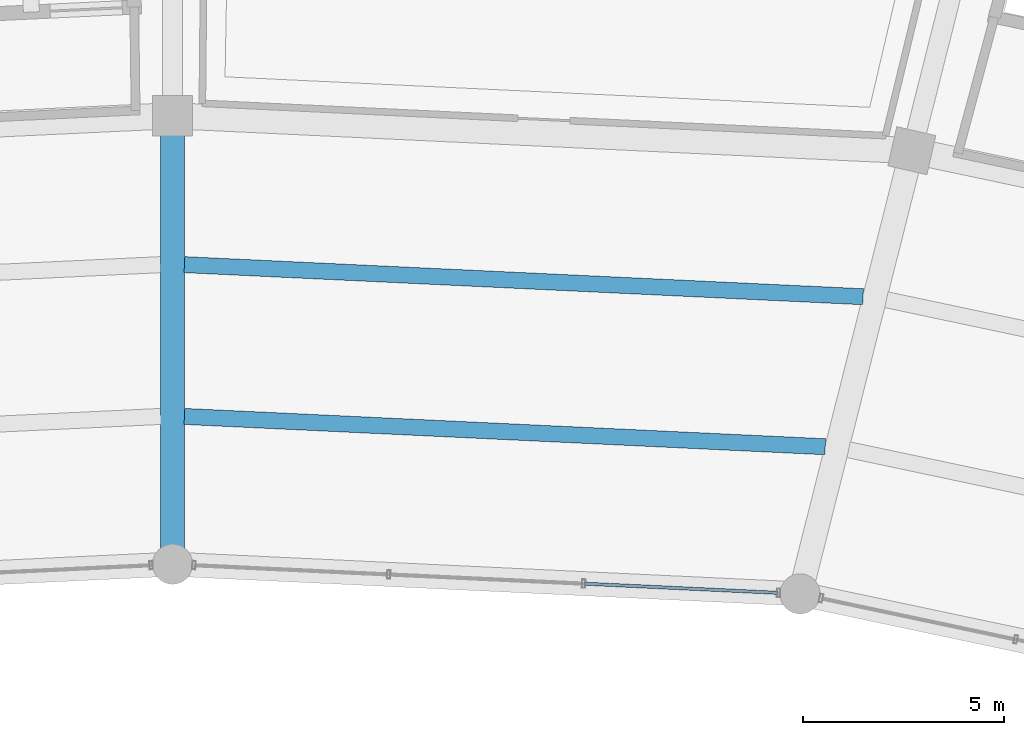
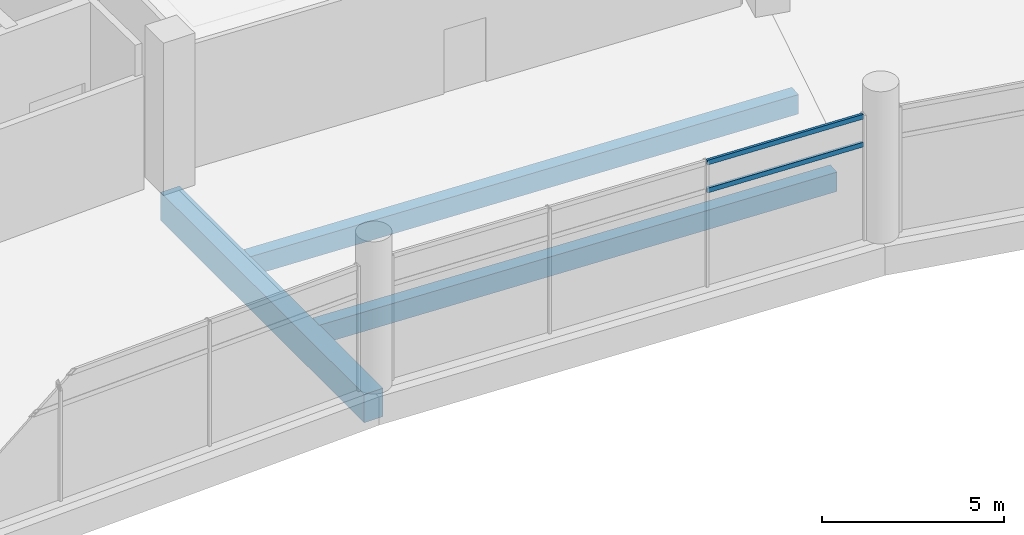
# One storey, part 111 of 184: 3 beams, 2 members, 1 element without a shape of its own.
"""IFC4 building model written with IfcOpenShell, lengths in metres."""

from ifc_helpers import new_model, si_unit, direction, frame, origin, origin_2d, place, context, subcontext, project, spatial, rectangle, hollow_rectangle, extrude, material, layer, layer_set, material_profile, profile_set, type_object, element, aggregate, save


model = new_model("IFC4")

# Units and contexts
model_context = context("Model", 3, precision=1e-05, world=origin(), true_north=direction((0.0, 1.0)))
body_context = subcontext(model_context, "Body", "Model", "MODEL_VIEW")
ifc_project = project(units=[si_unit("LENGTHUNIT", "METRE"), si_unit("AREAUNIT", "SQUARE_METRE"), si_unit("VOLUMEUNIT", "CUBIC_METRE"), si_unit("PLANEANGLEUNIT", "RADIAN"), si_unit("MASSUNIT", "GRAM", prefix="KILO")], contexts=[model_context])

# Site, building, storey
site_placement = place(None, origin())
site = spatial("IfcSite", under=ifc_project, at=site_placement, CompositionType="ELEMENT")
building_placement = place(site_placement, origin())
building = spatial("IfcBuilding", under=site, at=building_placement, Name="Kazemori Nagisa Stadium", CompositionType="ELEMENT")
storey_placement = place(building_placement, frame((0.0, 0.0, 10.5400390625)))
storey = spatial("IfcBuildingStorey", under=building, at=storey_placement, Name="L02", CompositionType="ELEMENT", Elevation=10.5400390625)

# Beams
ifc_material_1 = material(Name="Concrete C40/50 (Fc42)", Category="concrete")
ifc_material_profile_1 = material_profile(ifc_material_1, rectangle(XDim=0.60009765625, YDim=0.949951171875, at=origin_2d()), Name="RC-BM-600x950")
ifc_profile_set_1 = profile_set([ifc_material_profile_1], Name="Concrete C40/50 (Fc42)")
beam_type_1 = type_object("IfcBeamType", Name="Beam_BG-RC600X950", PredefinedType="BEAM", material=ifc_profile_set_1)
beam_1_placement = place(storey_placement, frame((123.0, 164.780029296875, -0.735107421875), z_axis=(0.0, 1.0, 0.0), x_axis=(-1.0, 0.0, 0.0)))
element("IfcBeam", 1, at=beam_1_placement, inside=storey, type_object=beam_type_1, Name="Radial girder BG-RC600X950 L02 R1-R2-08", PredefinedType="BEAM", context=body_context, shape_type="SweptSolid", body=[
    extrude(rectangle(XDim=0.60009765625, YDim=0.949951171875, at=origin_2d()), origin(), (0.0, 0.0, 1.0), 11.179931640625),
])
ifc_material_profile_2 = material_profile(ifc_material_1, rectangle(XDim=0.39990234375, YDim=0.64990234375, at=origin_2d()), Name="RC-BM-400x650")
ifc_profile_set_2 = profile_set([ifc_material_profile_2], Name="Concrete C40/50 (Fc42)")
beam_type_2 = type_object("IfcBeamType", Name="Beam_BJ-RC400X650", PredefinedType="JOIST", material=ifc_profile_set_2)
beam_2_placement = place(storey_placement, frame((139.26904296875, 167.708740234375, -0.5849609375), z_axis=(-0.998883867028, 0.047233676462, 0.0), x_axis=(-0.047233676462, -0.998883867028, 0.0)))
element("IfcBeam", 2, at=beam_2_placement, inside=storey, type_object=beam_type_2, Name="Concourse joist BJ-RC400X650 L02 B07-1", PredefinedType="JOIST", context=body_context, shape_type="SweptSolid", body=[
    extrude(rectangle(XDim=0.39990234375, YDim=0.64990234375, at=origin_2d()), origin(), (0.0, 0.0, 1.0), 15.9921875),
])
beam_3_placement = place(storey_placement, frame((140.211669921875, 171.4482421875, -0.5849609375), z_axis=(-0.998884256715, 0.047225434754, 0.0), x_axis=(-0.047225434754, -0.998884256715, 0.0)))
element("IfcBeam", 3, at=beam_3_placement, inside=storey, type_object=beam_type_2, Name="Concourse joist BJ-RC400X650 L02 B07-2", PredefinedType="JOIST", context=body_context, shape_type="SweptSolid", body=[
    extrude(rectangle(XDim=0.39990234375, YDim=0.64990234375, at=origin_2d()), origin(), (0.0, 0.0, 1.0), 16.935791015625),
])

# Curtain wall, members
ifc_material_2 = material(Name="Anodised aluminium 6063-T5", Category="aluminium")
ifc_layer = layer(ifc_material_2, 0.2099609375, Name="Anodised aluminium 6063-T5", Category="aluminium")
ifc_layer_set = layer_set([ifc_layer], Name="Anodised aluminium 6063-T5")
curtain_wall_type = type_object("IfcCurtainWallType", Name="CW_L02B_73", PredefinedType="USERDEFINED", material=ifc_layer_set)
curtain_wall_placement = place(storey_placement, origin())
curtain_wall = element("IfcCurtainWall", 4, at=curtain_wall_placement, inside=storey, type_object=curtain_wall_type, Name="Unitised curtain wall CW-L02B-73 L02", ObjectType="UNITISED CURTAIN WALL", PredefinedType="USERDEFINED")
ifc_material_3 = material(Name="Aluminium 6063-T5 anodised", Category="aluminium")
ifc_material_profile_3 = material_profile(ifc_material_3, hollow_rectangle(XDim=0.080078125, YDim=0.159912109375, WallThickness=0.00390625, at=origin_2d()), Name="ALU-TRAN-80x160x4")
ifc_profile_set_3 = profile_set([ifc_material_profile_3], Name="Aluminium 6063-T5 anodised")
member_type = type_object("IfcMemberType", Name="Transom_T02", PredefinedType="USERDEFINED", material=ifc_profile_set_3)
member_1_placement = place(storey_placement, frame((138.087890625, 164.066650390625, 3.184326171875), z_axis=(-0.998884227355, 0.047226055748, 0.0), x_axis=(-0.047226055748, -0.998884227355, 0.0)))
member_1 = element("IfcMember", 5, at=member_1_placement, type_object=member_type, Name="Curtain wall transom CW-L02B-73-T1-mid", ObjectType="TRANSOM", PredefinedType="USERDEFINED", context=body_context, shape_type="SweptSolid", body=[
    extrude(hollow_rectangle(XDim=0.080078125, YDim=0.159912109375, WallThickness=0.00390625, at=origin_2d()), origin(), (0.0, 0.0, 1.0), 4.8232421875),
])
member_2_placement = place(storey_placement, frame((138.087890625, 164.066650390625, 4.119873046875), z_axis=(-0.998884227355, 0.047226055748, 0.0), x_axis=(-0.047226055748, -0.998884227355, 0.0)))
member_2 = element("IfcMember", 6, at=member_2_placement, type_object=member_type, Name="Curtain wall transom CW-L02B-73-T1-head", ObjectType="TRANSOM", PredefinedType="USERDEFINED", context=body_context, shape_type="SweptSolid", body=[
    extrude(hollow_rectangle(XDim=0.080078125, YDim=0.159912109375, WallThickness=0.00390625, at=origin_2d()), origin(), (0.0, 0.0, 1.0), 4.8232421875),
])
aggregate(curtain_wall, [member_1, member_2])

save(model, "model.ifc")
